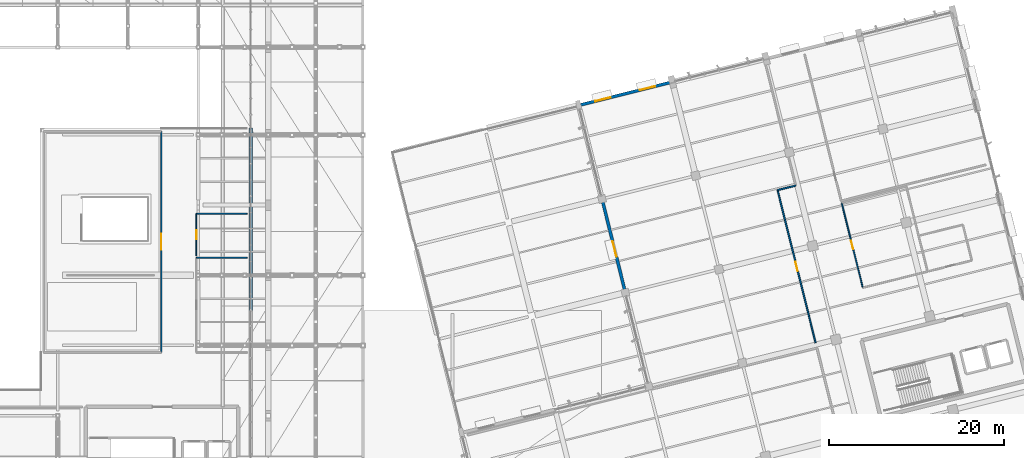
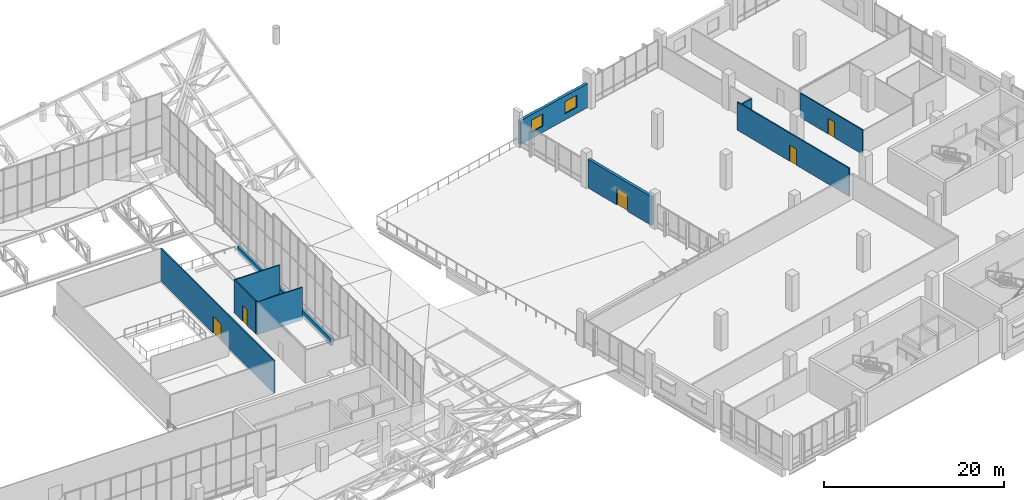
# One storey, part 125 of 137: 11 walls, 5 doors, 2 windows, 7 openings.
"""IFC4 building model written with IfcOpenShell, lengths in metres."""

from ifc_helpers import new_model, si_unit, direction, frame, frame_2d, origin, place, context, subcontext, project, spatial, rectangle, extrude, material, layer, layer_set, type_object, element, fill, save


model = new_model("IFC4")

# Units and contexts
model_context = context("Model", 3, precision=1e-05, world=origin(), true_north=direction((0.0, 1.0)))
body_context = subcontext(model_context, "Body", "Model", "MODEL_VIEW")
ifc_project = project(units=[si_unit("LENGTHUNIT", "METRE"), si_unit("AREAUNIT", "SQUARE_METRE"), si_unit("VOLUMEUNIT", "CUBIC_METRE"), si_unit("PLANEANGLEUNIT", "RADIAN"), si_unit("MASSUNIT", "GRAM", prefix="KILO")], contexts=[model_context])

# Site, building, storey
site_placement = place(None, origin())
site = spatial("IfcSite", under=ifc_project, at=site_placement, CompositionType="ELEMENT")
building_placement = place(site_placement, origin())
building = spatial("IfcBuilding", under=site, at=building_placement, Name="Khorjan Park Terminus", CompositionType="ELEMENT")
storey_placement = place(building_placement, frame((0.0, 0.0, 11.4)))
storey = spatial("IfcBuildingStorey", under=building, at=storey_placement, Name="L02", CompositionType="ELEMENT", Elevation=11.4)

# Walls
ifc_material_1 = material(Name="Pigmented Precast GRC & Concrete C40/50", Category="concrete")
ifc_layer_1 = layer(ifc_material_1, 0.35)
ifc_layer_set_1 = layer_set([ifc_layer_1], Name="Pigmented Precast GRC & Concrete C40/50")
wall_type_1 = type_object("IfcWallType", Name="EW-35", PredefinedType="STANDARD", material=ifc_layer_set_1)
wall_1_placement = place(storey_placement, frame((134.0, 48.0, 0.0), z_axis=(0.0, 0.0, 1.0), x_axis=(0.0, 1.0, 0.0)))
element("IfcWall", 1, at=wall_1_placement, inside=storey, type_object=wall_type_1, Name="Concourse gallery clerestory sill wall EW-35 (E-2)", PredefinedType="STANDARD", context=body_context, shape_type="SweptSolid", body=[
    extrude(rectangle(XDim=13.0, YDim=0.35, at=frame_2d((6.5, 0.0))), origin(), (0.0, 0.0, 1.0), 0.95),
])
wall_2_placement = place(storey_placement, frame((134.0, 61.0, 0.0), z_axis=(0.0, 0.0, 1.0), x_axis=(0.0, 1.0, 0.0)))
element("IfcWall", 2, at=wall_2_placement, inside=storey, type_object=wall_type_1, Name="Concourse gallery clerestory sill wall EW-35 (E-3)", PredefinedType="STANDARD", context=body_context, shape_type="SweptSolid", body=[
    extrude(rectangle(XDim=7.8, YDim=0.35, at=frame_2d((3.9, 0.0))), origin(), (0.0, 0.0, 1.0), 0.95),
])

# Wall, openings, windows
wall_3_placement = place(storey_placement, frame((181.7474, 73.9467, 0.0), z_axis=(0.0, 0.0, 1.0), x_axis=(-0.970297370005, -0.241915302865, 0.0)))
wall_3 = element("IfcWall", 3, at=wall_3_placement, inside=storey, type_object=wall_type_1, Name="External pigmented-GRC insulated wall EW-35 (EW-V5-N1-L02-B04)", PredefinedType="STANDARD", context=body_context, shape_type="SweptSolid", body=[
    extrude(rectangle(XDim=10.4698, YDim=0.35, at=frame_2d((5.2349, 0.0))), origin(), (0.0, 0.0, 1.0), 3.255),
])
opening_1_placement = place(wall_3_placement, frame((1.7174, 0.0, 0.85)))
opening_1 = element("IfcOpeningElement", 4, at=opening_1_placement, cuts=wall_3, Name="Opening WN-18", PredefinedType="OPENING", context=body_context, shape_type="SweptSolid", body=[
    extrude(rectangle(XDim=1.8, YDim=1.65, at=frame_2d((0.9, 0.825))), frame((0.0, 0.185, 0.0), z_axis=(0.0, -1.0, 0.0), x_axis=(1.0, 0.0, 0.0)), (0.0, 0.0, 1.0), 0.37),
])
opening_2_placement = place(wall_3_placement, frame((6.9523, 0.0, 0.85)))
opening_2 = element("IfcOpeningElement", 5, at=opening_2_placement, cuts=wall_3, Name="Opening WN-18", PredefinedType="OPENING", context=body_context, shape_type="SweptSolid", body=[
    extrude(rectangle(XDim=1.8, YDim=1.65, at=frame_2d((0.9, 0.825))), frame((0.0, 0.185, 0.0), z_axis=(0.0, -1.0, 0.0), x_axis=(1.0, 0.0, 0.0)), (0.0, 0.0, 1.0), 0.37),
])
ifc_material_2 = material(Name="Anodized Bronze Aluminium & Low-E Glass", Category="aluminium")
window_type = type_object("IfcWindowType", Name="WN-18", PartitioningType="SINGLE_PANEL", PredefinedType="WINDOW", material=ifc_material_2)
window_1_placement = place(opening_1_placement, origin())
window_1 = element("IfcWindow", 6, at=window_1_placement, inside=storey, type_object=window_type, Name="Solar-control exterior window WN-18 (WN-EW-V5-N1-L02-B04-1)", OverallHeight=1.65, OverallWidth=1.8, PartitioningType="SINGLE_PANEL", PredefinedType="WINDOW", context=body_context, shape_type="SweptSolid", body=[
    extrude(rectangle(XDim=1.8, YDim=1.65, at=frame_2d((0.9, 0.825))), frame((0.0, 0.03, 0.0), z_axis=(0.0, -1.0, 0.0), x_axis=(1.0, 0.0, 0.0)), (0.0, 0.0, 1.0), 0.06),
])
fill(opening_1, window_1)
window_2_placement = place(opening_2_placement, origin())
window_2 = element("IfcWindow", 7, at=window_2_placement, inside=storey, type_object=window_type, Name="Solar-control exterior window WN-18 (WN-EW-V5-N1-L02-B04-2)", OverallHeight=1.65, OverallWidth=1.8, PartitioningType="SINGLE_PANEL", PredefinedType="WINDOW", context=body_context, shape_type="SweptSolid", body=[
    extrude(rectangle(XDim=1.8, YDim=1.65, at=frame_2d((0.9, 0.825))), frame((0.0, 0.03, 0.0), z_axis=(0.0, -1.0, 0.0), x_axis=(1.0, 0.0, 0.0)), (0.0, 0.0, 1.0), 0.06),
])
fill(opening_2, window_2)

# Wall, opening, door
wall_4_placement = place(storey_placement, frame((174.1353, 60.3096, 0.0), z_axis=(0.0, 0.0, 1.0), x_axis=(0.241913941528, -0.970297709414, 0.0)))
wall_4 = element("IfcWall", 8, at=wall_4_placement, inside=storey, type_object=wall_type_1, Name="External pigmented-GRC insulated wall EW-35 (EW-V5-NW1-L02-B02)", PredefinedType="STANDARD", context=body_context, shape_type="SweptSolid", body=[
    extrude(rectangle(XDim=10.2197, YDim=0.35, at=frame_2d((5.1098, 0.0))), origin(), (0.0, 0.0, 1.0), 3.905),
])
opening_3_placement = place(wall_4_placement, frame((4.6, 0.0, 0.0)))
opening_3 = element("IfcOpeningElement", 9, at=opening_3_placement, cuts=wall_4, Name="Opening ED-18", PredefinedType="OPENING", context=body_context, shape_type="SweptSolid", body=[
    extrude(rectangle(XDim=1.8, YDim=2.3, at=frame_2d((0.9, 1.15))), frame((0.0, 0.185, 0.0), z_axis=(0.0, -1.0, 0.0), x_axis=(1.0, 0.0, 0.0)), (0.0, 0.0, 1.0), 0.37),
])
ifc_material_3 = material(Name="Anodized Bronze Aluminium & Safety Glass", Category="aluminium")
door_type_1 = type_object("IfcDoorType", Name="ED-18", OperationType="NOTDEFINED", PredefinedType="DOOR", material=ifc_material_3)
door_1_placement = place(opening_3_placement, origin())
door_1 = element("IfcDoor", 10, at=door_1_placement, inside=storey, type_object=door_type_1, Name="Exterior door ED-18 (DR-EW-V5-NW1-L02-B02)", OperationType="DOUBLE_DOOR_SINGLE_SWING", OverallHeight=2.3, OverallWidth=1.8, PredefinedType="DOOR", context=body_context, shape_type="SweptSolid", body=[
    extrude(rectangle(XDim=1.8, YDim=2.3, at=frame_2d((0.9, 1.15))), frame((0.0, 0.025, 0.0), z_axis=(0.0, -1.0, 0.0), x_axis=(1.0, 0.0, 0.0)), (0.0, 0.0, 1.0), 0.05),
])
fill(opening_3, door_1)

# Walls
ifc_material_4 = material(Name="Moisture-Resistant Sanitary Partition")
ifc_layer_2 = layer(ifc_material_4, 0.14)
ifc_layer_set_2 = layer_set([ifc_layer_2], Name="Moisture-Resistant Sanitary Partition")
wall_type_2 = type_object("IfcWallType", Name="PT-14", PredefinedType="PARTITIONING", material=ifc_layer_set_2)
for number, where, z_axis, x_axis, name in (
    (11, (127.8, 54.0, 0.0), (0.0, 0.0, 1.0), (1.0, 0.0, 0.0), "Interior acoustic partition PT-14 (L02-WC2)"),
    (12, (127.8, 59.0, 0.0), (0.0, 0.0, 1.0), (1.0, 0.0, 0.0), "Interior acoustic partition PT-14 (L02-AWC2)"),
):
    element("IfcWall", number, at=place(storey_placement, frame(where, z_axis=z_axis, x_axis=x_axis)), inside=storey, type_object=wall_type_2, Name=name, PredefinedType="PARTITIONING", context=body_context, shape_type="SweptSolid", body=[
        extrude(rectangle(XDim=5.8, YDim=0.14, at=frame_2d((2.9, 0.0))), origin(), (0.0, 0.0, 1.0), 4.46),
    ])

# Wall, opening, door
wall_5_placement = place(storey_placement, frame((127.8, 54.2, 0.0), z_axis=(0.0, 0.0, 1.0), x_axis=(0.0, 1.0, 0.0)))
wall_5 = element("IfcWall", 13, at=wall_5_placement, inside=storey, type_object=wall_type_2, Name="Interior acoustic partition PT-14 (L02-AWC2)", PredefinedType="PARTITIONING", context=body_context, shape_type="SweptSolid", body=[
    extrude(rectangle(XDim=4.8, YDim=0.14, at=frame_2d((2.4, 0.0))), origin(), (0.0, 0.0, 1.0), 4.46),
])
opening_4_placement = place(wall_5_placement, frame((1.9, 0.0, 0.0)))
opening_4 = element("IfcOpeningElement", 14, at=opening_4_placement, cuts=wall_5, Name="Opening ID-10", PredefinedType="OPENING", context=body_context, shape_type="SweptSolid", body=[
    extrude(rectangle(XDim=1.0, YDim=2.15, at=frame_2d((0.5, 1.075))), frame((0.0, 0.08, 0.0), z_axis=(0.0, -1.0, 0.0), x_axis=(1.0, 0.0, 0.0)), (0.0, 0.0, 1.0), 0.16),
])
ifc_material_5 = material(Name="Acoustic Fire-Rated Single Door")
door_type_2 = type_object("IfcDoorType", Name="ID-10", OperationType="NOTDEFINED", PredefinedType="DOOR", material=ifc_material_5)
door_2_placement = place(opening_4_placement, origin())
door_2 = element("IfcDoor", 15, at=door_2_placement, inside=storey, type_object=door_type_2, Name="Interior door ID-10 (L02-AWC2)", OperationType="SINGLE_SWING_RIGHT", OverallHeight=2.15, OverallWidth=1.0, PredefinedType="DOOR", context=body_context, shape_type="SweptSolid", body=[
    extrude(rectangle(XDim=1.0, YDim=2.15, at=frame_2d((0.5, 1.075))), frame((0.0, 0.025, 0.0), z_axis=(0.0, -1.0, 0.0), x_axis=(1.0, 0.0, 0.0)), (0.0, 0.0, 1.0), 0.05),
])
fill(opening_4, door_2)

wall_6_placement = place(storey_placement, frame((203.7693, 50.5803, 0.0), z_axis=(0.0, 0.0, 1.0), x_axis=(-0.241921455101, 0.970295836104, 0.0)))
wall_6 = element("IfcWall", 16, at=wall_6_placement, inside=storey, type_object=wall_type_2, Name="Interior acoustic partition PT-14 (L02-SWC2)", PredefinedType="PARTITIONING", context=body_context, shape_type="SweptSolid", body=[
    extrude(rectangle(XDim=9.9999, YDim=0.14, at=frame_2d((5.0, 0.0))), origin(), (0.0, 0.0, 1.0), 3.325),
])
opening_5_placement = place(wall_6_placement, frame((4.5, 0.0, 0.0)))
opening_5 = element("IfcOpeningElement", 17, at=opening_5_placement, cuts=wall_6, Name="Opening ID-10", PredefinedType="OPENING", context=body_context, shape_type="SweptSolid", body=[
    extrude(rectangle(XDim=1.0, YDim=2.15, at=frame_2d((0.5, 1.075))), frame((0.0, 0.08, 0.0), z_axis=(0.0, -1.0, 0.0), x_axis=(1.0, 0.0, 0.0)), (0.0, 0.0, 1.0), 0.16),
])
door_3_placement = place(opening_5_placement, origin())
door_3 = element("IfcDoor", 18, at=door_3_placement, inside=storey, type_object=door_type_2, Name="Interior door ID-10 (L02-SWC2)", OperationType="SINGLE_SWING_LEFT", OverallHeight=2.15, OverallWidth=1.0, PredefinedType="DOOR", context=body_context, shape_type="SweptSolid", body=[
    extrude(rectangle(XDim=1.0, YDim=2.15, at=frame_2d((0.5, 1.075))), frame((0.0, 0.025, 0.0), z_axis=(0.0, -1.0, 0.0), x_axis=(1.0, 0.0, 0.0)), (0.0, 0.0, 1.0), 0.05),
])
fill(opening_5, door_3)

ifc_material_6 = material(Name="Insulated Metal-Stud Acoustic Partition")
ifc_layer_3 = layer(ifc_material_6, 0.16)
ifc_layer_set_3 = layer_set([ifc_layer_3], Name="Insulated Metal-Stud Acoustic Partition")
wall_type_3 = type_object("IfcWallType", Name="PT-16", PredefinedType="PARTITIONING", material=ifc_layer_set_3)
wall_7_placement = place(storey_placement, frame((123.8, 68.4, 0.0), z_axis=(0.0, 0.0, 1.0), x_axis=(0.0, -1.0, 0.0)))
wall_7 = element("IfcWall", 19, at=wall_7_placement, inside=storey, type_object=wall_type_3, Name="Interior acoustic partition PT-16 (L02-VIPE)", PredefinedType="PARTITIONING", context=body_context, shape_type="SweptSolid", body=[
    extrude(rectangle(XDim=25.2, YDim=0.16, at=frame_2d((12.6, 0.0))), origin(), (0.0, 0.0, 1.0), 4.46),
])
opening_6_placement = place(wall_7_placement, frame((11.7, 0.0, 0.0)))
opening_6 = element("IfcOpeningElement", 20, at=opening_6_placement, cuts=wall_7, Name="Opening ID-18", PredefinedType="OPENING", context=body_context, shape_type="SweptSolid", body=[
    extrude(rectangle(XDim=1.8, YDim=2.25, at=frame_2d((0.9, 1.125))), frame((0.0, 0.09, 0.0), z_axis=(0.0, -1.0, 0.0), x_axis=(1.0, 0.0, 0.0)), (0.0, 0.0, 1.0), 0.18),
])
ifc_material_7 = material(Name="Acoustic Hardwood & Vision-Lite Double Door", Category="wood")
door_type_3 = type_object("IfcDoorType", Name="ID-18", OperationType="NOTDEFINED", PredefinedType="DOOR", material=ifc_material_7)
door_4_placement = place(opening_6_placement, origin())
door_4 = element("IfcDoor", 21, at=door_4_placement, inside=storey, type_object=door_type_3, Name="Interior door ID-18 (L02-VIPE)", OperationType="DOUBLE_DOOR_SINGLE_SWING", OverallHeight=2.25, OverallWidth=1.8, PredefinedType="DOOR", context=body_context, shape_type="SweptSolid", body=[
    extrude(rectangle(XDim=1.8, YDim=2.25, at=frame_2d((0.9, 1.125))), frame((0.0, 0.025, 0.0), z_axis=(0.0, -1.0, 0.0), x_axis=(1.0, 0.0, 0.0)), (0.0, 0.0, 1.0), 0.05),
])
fill(opening_6, door_4)

# Wall
wall_8_placement = place(storey_placement, frame((196.1271, 62.2171, 0.0), z_axis=(0.0, 0.0, 1.0), x_axis=(-0.970298972677, -0.241908874623, 0.0)))
element("IfcWall", 22, at=wall_8_placement, inside=storey, type_object=wall_type_3, Name="Interior acoustic partition PT-16 (L02-ENG)", PredefinedType="PARTITIONING", context=body_context, shape_type="SweptSolid", body=[
    extrude(rectangle(XDim=2.1401, YDim=0.16, at=frame_2d((1.07, 0.0))), origin(), (0.0, 0.0, 1.0), 3.225),
])

# Wall, opening, door
wall_9_placement = place(storey_placement, frame((194.0506, 61.6994, 0.0), z_axis=(0.0, 0.0, 1.0), x_axis=(0.241923077517, -0.97029543159, 0.0)))
wall_9 = element("IfcWall", 23, at=wall_9_placement, inside=storey, type_object=wall_type_3, Name="Interior acoustic partition PT-16 (L02-ENG)", PredefinedType="PARTITIONING", context=body_context, shape_type="SweptSolid", body=[
    extrude(rectangle(XDim=17.94, YDim=0.16, at=frame_2d((8.97, 0.0))), origin(), (0.0, 0.0, 1.0), 3.825),
])
opening_7_placement = place(wall_9_placement, frame((8.42, 0.0, 0.0)))
opening_7 = element("IfcOpeningElement", 24, at=opening_7_placement, cuts=wall_9, Name="Opening ID-11", PredefinedType="OPENING", context=body_context, shape_type="SweptSolid", body=[
    extrude(rectangle(XDim=1.1, YDim=2.2, at=frame_2d((0.55, 1.1))), frame((0.0, 0.09, 0.0), z_axis=(0.0, -1.0, 0.0), x_axis=(1.0, 0.0, 0.0)), (0.0, 0.0, 1.0), 0.18),
])
ifc_material_8 = material(Name="Acoustic Hardwood Single Door", Category="wood")
door_type_4 = type_object("IfcDoorType", Name="ID-11", OperationType="NOTDEFINED", PredefinedType="DOOR", material=ifc_material_8)
door_5_placement = place(opening_7_placement, origin())
door_5 = element("IfcDoor", 25, at=door_5_placement, inside=storey, type_object=door_type_4, Name="Interior door ID-11 (L02-ENG)", OperationType="SINGLE_SWING_RIGHT", OverallHeight=2.2, OverallWidth=1.1, PredefinedType="DOOR", context=body_context, shape_type="SweptSolid", body=[
    extrude(rectangle(XDim=1.1, YDim=2.2, at=frame_2d((0.55, 1.1))), frame((0.0, 0.025, 0.0), z_axis=(0.0, -1.0, 0.0), x_axis=(1.0, 0.0, 0.0)), (0.0, 0.0, 1.0), 0.05),
])
fill(opening_7, door_5)

save(model, "model.ifc")
